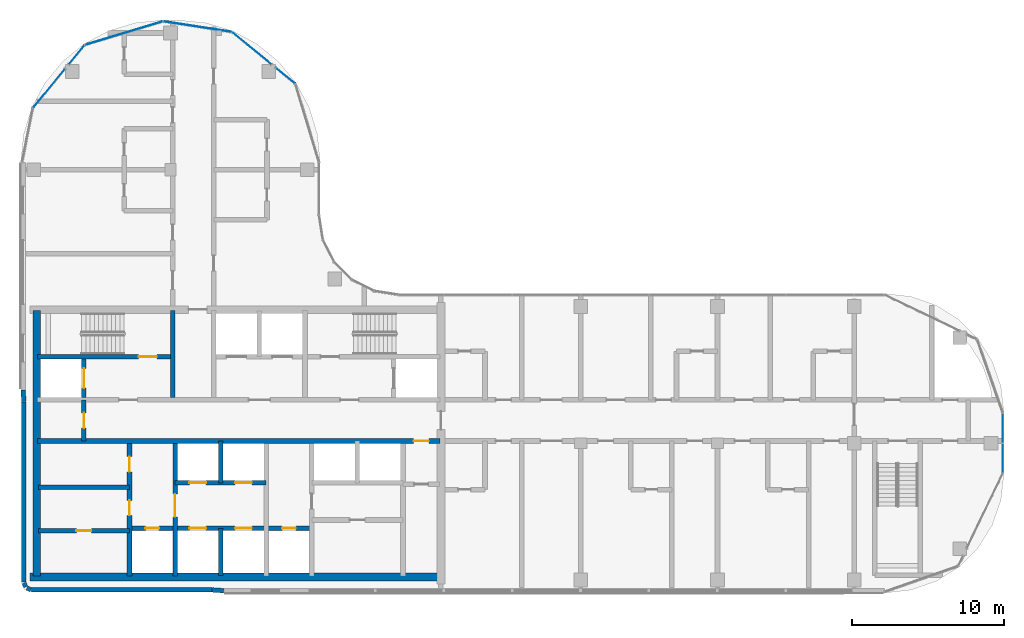
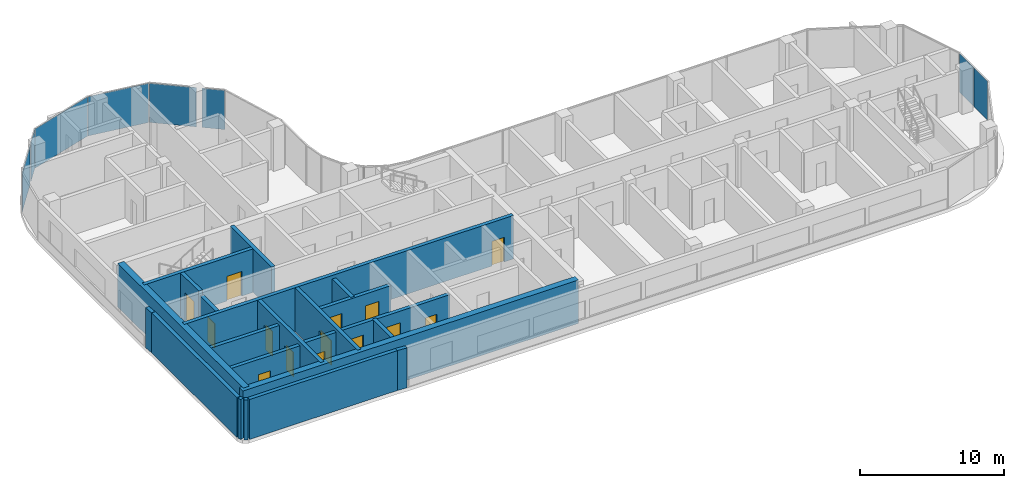
# One storey, part 12 of 20: 21 walls, 14 doors, 8 plates, 14 openings, 4 elements without a shape of their own.
"""IFC4 building model written with IfcOpenShell, lengths in metres."""

from ifc_helpers import new_model, si_unit, direction, frame, frame_2d, origin, origin_2d, place, context, subcontext, project, spatial, rectangle, extrude, material, layer, layer_set, type_object, element, fill, aggregate, save


model = new_model("IFC4")

# Units and contexts
model_context = context("Model", 3, precision=1e-05, world=origin(), true_north=direction((0.0, 1.0)))
body_context = subcontext(model_context, "Body", "Model", "MODEL_VIEW")
ifc_project = project(units=[si_unit("LENGTHUNIT", "METRE"), si_unit("AREAUNIT", "SQUARE_METRE"), si_unit("VOLUMEUNIT", "CUBIC_METRE"), si_unit("PLANEANGLEUNIT", "RADIAN"), si_unit("MASSUNIT", "GRAM", prefix="KILO")], contexts=[model_context])

# Site, building, storey
site_placement = place(None, origin())
site = spatial("IfcSite", under=ifc_project, at=site_placement, CompositionType="ELEMENT")
building_placement = place(site_placement, origin())
building = spatial("IfcBuilding", under=site, at=building_placement, Name="Ogive Portal Towers", CompositionType="ELEMENT")
storey_placement = place(building_placement, frame((0.0, 0.0, 210.60009765625)))
storey = spatial("IfcBuildingStorey", under=building, at=storey_placement, Name="L52", CompositionType="ELEMENT", Elevation=210.60009765625)

# Curtain wall, plates
ifc_material_1 = material(Name="Glass, clear low-iron insulated glazing", Category="glass")
curtain_wall_type = type_object("IfcCurtainWallType", Name="CW FRONT RIBBON 4500", PredefinedType="NOTDEFINED", material=ifc_material_1)
curtain_wall_1_placement = place(storey_placement, origin())
curtain_wall_1 = element("IfcCurtainWall", 1, at=curtain_wall_1_placement, inside=storey, type_object=curtain_wall_type, Name="A:L52:f08:cw0", PredefinedType="NOTDEFINED")
ifc_layer_1 = layer(ifc_material_1, 0.028076171875)
ifc_layer_set_1 = layer_set([ifc_layer_1], Name="CW PANEL IGU 28")
plate_type = type_object("IfcPlateType", Name="CW PANEL IGU 28", PredefinedType="CURTAIN_PANEL", material=ifc_layer_set_1)
plate_1_placement = place(storey_placement, frame((95.27490234375, 29.509033203125, 0.0), z_axis=(0.0, 0.0, 1.0), x_axis=(0.0, 1.0, 0.0)))
plate_1 = element("IfcPlate", 2, at=plate_1_placement, type_object=plate_type, Name="panel", PredefinedType="CURTAIN_PANEL", context=body_context, shape_type="SweptSolid", body=[
    extrude(rectangle(XDim=1.921630859375, YDim=0.028076171875, at=origin_2d()), origin(), (0.0, 0.0, 1.0), 3.340087890625),
])
plate_2_placement = place(storey_placement, frame((95.27490234375, 31.4931640625, 0.0), z_axis=(0.0, 0.0, 1.0), x_axis=(0.0, 1.0, 0.0)))
plate_2 = element("IfcPlate", 3, at=plate_2_placement, type_object=plate_type, Name="panel", PredefinedType="CURTAIN_PANEL", context=body_context, shape_type="SweptSolid", body=[
    extrude(rectangle(XDim=1.926513671875, YDim=0.028076171875, at=origin_2d()), origin(), (0.0, 0.0, 1.0), 3.340087890625),
])
aggregate(curtain_wall_1, [plate_1, plate_2])

# Curtain wall, plate
curtain_wall_2_placement = place(storey_placement, origin())
curtain_wall_2 = element("IfcCurtainWall", 4, at=curtain_wall_2_placement, inside=storey, type_object=curtain_wall_type, Name="A:L52:f18:cwa~0", PredefinedType="NOTDEFINED")
plate_3_placement = place(storey_placement, frame((48.06591796875, 54.678466796875, 0.0), z_axis=(0.0, 0.0, 1.0), x_axis=(-0.773010453363, 0.634393284164, 0.0)))
plate_3 = element("IfcPlate", 5, at=plate_3_placement, type_object=plate_type, Name="panel", PredefinedType="CURTAIN_PANEL", context=body_context, shape_type="SweptSolid", body=[
    extrude(rectangle(XDim=1.603515625, YDim=0.028076171875, at=origin_2d()), origin(), (0.0, 0.0, 1.0), 3.340087890625),
])
aggregate(curtain_wall_2, [plate_3])

# Curtain wall, plates
curtain_wall_3_placement = place(storey_placement, origin())
curtain_wall_3 = element("IfcCurtainWall", 6, at=curtain_wall_3_placement, inside=storey, type_object=curtain_wall_type, Name="A:L52:f18:cwa~1", PredefinedType="NOTDEFINED")
plate_4_placement = place(storey_placement, frame((45.8525390625, 56.4951171875, 0.0), z_axis=(0.0, 0.0, 1.0), x_axis=(-0.773010453363, 0.634393284164, 0.0)))
plate_4 = element("IfcPlate", 7, at=plate_4_placement, type_object=plate_type, Name="panel", PredefinedType="CURTAIN_PANEL", context=body_context, shape_type="SweptSolid", body=[
    extrude(rectangle(XDim=3.31982421875, YDim=0.028076171875, at=origin_2d()), origin(), (0.0, 0.0, 1.0), 3.340087890625),
])
plate_5_placement = place(storey_placement, frame((42.27587890625, 57.920166015625, 0.0), z_axis=(0.0, 0.0, 1.0), x_axis=(-0.988127542509, 0.153635802256, 0.0)))
plate_5 = element("IfcPlate", 8, at=plate_5_placement, type_object=plate_type, Name="panel", PredefinedType="CURTAIN_PANEL", context=body_context, shape_type="SweptSolid", body=[
    extrude(rectangle(XDim=4.534912109375, YDim=0.028076171875, at=origin_2d()), origin(), (0.0, 0.0, 1.0), 3.340087890625),
])
plate_6_placement = place(storey_placement, frame((37.427490234375, 57.490966796875, 0.0), z_axis=(0.0, 0.0, 1.0), x_axis=(-0.956940335732, -0.290284677254, 0.0)))
plate_6 = element("IfcPlate", 9, at=plate_6_placement, type_object=plate_type, Name="panel", PredefinedType="CURTAIN_PANEL", context=body_context, shape_type="SweptSolid", body=[
    extrude(rectangle(XDim=5.32861328125, YDim=0.028076171875, at=origin_2d()), origin(), (0.0, 0.0, 1.0), 3.340087890625),
])
plate_7_placement = place(storey_placement, frame((34.321533203125, 56.06591796875, 0.0), z_axis=(0.0, 0.0, 1.0), x_axis=(-0.634393284164, -0.773010453363, 0.0)))
plate_7 = element("IfcPlate", 10, at=plate_7_placement, type_object=plate_type, Name="panel", PredefinedType="CURTAIN_PANEL", context=body_context, shape_type="SweptSolid", body=[
    extrude(rectangle(XDim=1.603515625, YDim=0.028076171875, at=origin_2d()), origin(), (0.0, 0.0, 1.0), 3.340087890625),
])
aggregate(curtain_wall_3, [plate_4, plate_5, plate_6, plate_7])

# Curtain wall, plate
curtain_wall_4_placement = place(storey_placement, origin())
curtain_wall_4 = element("IfcCurtainWall", 11, at=curtain_wall_4_placement, inside=storey, type_object=curtain_wall_type, Name="A:L52:f18:cwa~2", PredefinedType="NOTDEFINED")
plate_8_placement = place(storey_placement, frame((32.50439453125, 53.851806640625, 0.0), z_axis=(0.0, 0.0, 1.0), x_axis=(-0.634393284164, -0.773010453363, 0.0)))
plate_8 = element("IfcPlate", 12, at=plate_8_placement, type_object=plate_type, Name="panel", PredefinedType="CURTAIN_PANEL", context=body_context, shape_type="SweptSolid", body=[
    extrude(rectangle(XDim=3.32177734375, YDim=0.028076171875, at=origin_2d()), origin(), (0.0, 0.0, 1.0), 3.340087890625),
])
aggregate(curtain_wall_4, [plate_8])

# Wall, openings, doors
ifc_material_2 = material(Name="Concrete C60/75", Category="concrete")
ifc_layer_2 = layer(ifc_material_2, 0.300048828125)
ifc_layer_set_2 = layer_set([ifc_layer_2], Name="CORE WALL 300 C60")
wall_type_1 = type_object("IfcWallType", Name="CORE WALL 300 C60", PredefinedType="SHEAR", material=ifc_layer_set_2)
wall_1_placement = place(storey_placement, frame((37.800048828125, 21.75, 0.0), z_axis=(0.0, 0.0, 1.0), x_axis=(0.0, 1.0, 0.0)))
wall_1 = element("IfcWall", 13, at=wall_1_placement, inside=storey, type_object=wall_type_1, Name="Core wall X1 L52", PredefinedType="SHEAR", context=body_context, shape_type="SweptSolid", body=[
    extrude(rectangle(XDim=8.75, YDim=0.300048828125, at=frame_2d((4.375, 0.0))), origin(), (0.0, 0.0, 1.0), 3.699951171875),
])
opening_1_placement = place(wall_1_placement, frame((6.875, 0.0, 0.0)))
opening_1 = element("IfcOpeningElement", 14, at=opening_1_placement, cuts=wall_1, Name="Opening D23-021", PredefinedType="OPENING", context=body_context, shape_type="SweptSolid", body=[
    extrude(rectangle(XDim=1.0, YDim=2.10009765625, at=frame_2d((0.5, 1.050048828125))), frame((0.0, 0.16015625, 0.0), z_axis=(0.0, -1.0, 0.0), x_axis=(1.0, 0.0, 0.0)), (0.0, 0.0, 1.0), 0.320068359375),
])
opening_2_placement = place(wall_1_placement, frame((4.0, 0.0, 0.0)))
opening_2 = element("IfcOpeningElement", 15, at=opening_2_placement, cuts=wall_1, Name="Opening D23-022", PredefinedType="OPENING", context=body_context, shape_type="SweptSolid", body=[
    extrude(rectangle(XDim=1.0, YDim=2.10009765625, at=frame_2d((0.5, 1.050048828125))), frame((0.0, 0.16015625, 0.0), z_axis=(0.0, -1.0, 0.0), x_axis=(1.0, 0.0, 0.0)), (0.0, 0.0, 1.0), 0.320068359375),
])
ifc_material_3 = material(Name="Steel fire door", Category="steel")
door_type_1 = type_object("IfcDoorType", Name="DT-SWING-1000x2100-FD90S", OperationType="SINGLE_SWING_LEFT", PredefinedType="DOOR", material=ifc_material_3)
door_1_placement = place(opening_1_placement, origin())
door_1 = element("IfcDoor", 16, at=door_1_placement, inside=storey, type_object=door_type_1, Name="Door D23-021", OperationType="SINGLE_SWING_LEFT", OverallHeight=2.10009765625, OverallWidth=1.0, PredefinedType="DOOR", context=body_context, shape_type="SweptSolid", body=[
    extrude(rectangle(XDim=1.0, YDim=2.10009765625, at=frame_2d((0.5, 1.050048828125))), frame((0.0, 0.02490234375, 0.0), z_axis=(0.0, -1.0, 0.0), x_axis=(1.0, 0.0, 0.0)), (0.0, 0.0, 1.0), 0.050048828125),
])
fill(opening_1, door_1)
door_2_placement = place(opening_2_placement, origin())
door_2 = element("IfcDoor", 17, at=door_2_placement, inside=storey, type_object=door_type_1, Name="Door D23-022", OperationType="SINGLE_SWING_RIGHT", OverallHeight=2.10009765625, OverallWidth=1.0, PredefinedType="DOOR", context=body_context, shape_type="SweptSolid", body=[
    extrude(rectangle(XDim=1.0, YDim=2.10009765625, at=frame_2d((0.5, 1.050048828125))), frame((0.0, 0.02490234375, 0.0), z_axis=(0.0, -1.0, 0.0), x_axis=(1.0, 0.0, 0.0)), (0.0, 0.0, 1.0), 0.050048828125),
])
fill(opening_2, door_2)

# Wall, opening, door
wall_2_placement = place(storey_placement, frame((40.800048828125, 21.75, 0.0), z_axis=(0.0, 0.0, 1.0), x_axis=(0.0, 1.0, 0.0)))
wall_2 = element("IfcWall", 18, at=wall_2_placement, inside=storey, type_object=wall_type_1, Name="Core wall X2 L52", PredefinedType="SHEAR", context=body_context, shape_type="SweptSolid", body=[
    extrude(rectangle(XDim=8.75, YDim=0.300048828125, at=frame_2d((4.375, 0.0))), origin(), (0.0, 0.0, 1.0), 3.699951171875),
])
opening_3_placement = place(wall_2_placement, frame((3.89990234375, 0.0, 0.0)))
opening_3 = element("IfcOpeningElement", 19, at=opening_3_placement, cuts=wall_2, Name="Opening D23-001", PredefinedType="OPENING", context=body_context, shape_type="SweptSolid", body=[
    extrude(rectangle(XDim=1.5, YDim=2.10009765625, at=frame_2d((0.75, 1.050048828125))), frame((0.0, 0.16015625, 0.0), z_axis=(0.0, -1.0, 0.0), x_axis=(1.0, 0.0, 0.0)), (0.0, 0.0, 1.0), 0.320068359375),
])
door_type_2 = type_object("IfcDoorType", Name="DT-SWING-1500x2100-FD90S", OperationType="SINGLE_SWING_LEFT", PredefinedType="DOOR", material=ifc_material_3)
door_3_placement = place(opening_3_placement, origin())
door_3 = element("IfcDoor", 20, at=door_3_placement, inside=storey, type_object=door_type_2, Name="Door D23-001", OperationType="SINGLE_SWING_RIGHT", OverallHeight=2.10009765625, OverallWidth=1.5, PredefinedType="DOOR", context=body_context, shape_type="SweptSolid", body=[
    extrude(rectangle(XDim=1.5, YDim=2.10009765625, at=frame_2d((0.75, 1.050048828125))), frame((0.0, 0.02490234375, 0.0), z_axis=(0.0, -1.0, 0.0), x_axis=(1.0, 0.0, 0.0)), (0.0, 0.0, 1.0), 0.050048828125),
])
fill(opening_3, door_3)

wall_3_placement = place(storey_placement, frame((31.75, 30.64990234375, 0.0), z_axis=(0.0, 0.0, 1.0), x_axis=(1.0, 0.0, 0.0)))
wall_3 = element("IfcWall", 21, at=wall_3_placement, inside=storey, type_object=wall_type_1, Name="Core wall Y1 L52", PredefinedType="SHEAR", context=body_context, shape_type="SweptSolid", body=[
    extrude(rectangle(XDim=26.5, YDim=0.300048828125, at=frame_2d((13.25, 0.0))), origin(), (0.0, 0.0, 1.0), 3.699951171875),
])
opening_4_placement = place(wall_3_placement, frame((24.75, 0.0, 0.0)))
opening_4 = element("IfcOpeningElement", 22, at=opening_4_placement, cuts=wall_3, Name="Opening D23-009", PredefinedType="OPENING", context=body_context, shape_type="SweptSolid", body=[
    extrude(rectangle(XDim=1.0, YDim=2.10009765625, at=frame_2d((0.5, 1.050048828125))), frame((0.0, 0.16015625, 0.0), z_axis=(0.0, -1.0, 0.0), x_axis=(1.0, 0.0, 0.0)), (0.0, 0.0, 1.0), 0.320068359375),
])
door_4_placement = place(opening_4_placement, origin())
door_4 = element("IfcDoor", 23, at=door_4_placement, inside=storey, type_object=door_type_1, Name="Door D23-009", OperationType="SINGLE_SWING_LEFT", OverallHeight=2.10009765625, OverallWidth=1.0, PredefinedType="DOOR", context=body_context, shape_type="SweptSolid", body=[
    extrude(rectangle(XDim=1.0, YDim=2.10009765625, at=frame_2d((0.5, 1.050048828125))), frame((0.0, 0.02490234375, 0.0), z_axis=(0.0, -1.0, 0.0), x_axis=(1.0, 0.0, 0.0)), (0.0, 0.0, 1.0), 0.050048828125),
])
fill(opening_4, door_4)

wall_4_placement = place(storey_placement, frame((31.75, 36.199951171875, 0.0), z_axis=(0.0, 0.0, 1.0), x_axis=(1.0, 0.0, 0.0)))
wall_4 = element("IfcWall", 24, at=wall_4_placement, inside=storey, type_object=wall_type_1, Name="Core wall Y3a L52", PredefinedType="SHEAR", context=body_context, shape_type="SweptSolid", body=[
    extrude(rectangle(XDim=8.75, YDim=0.300048828125, at=frame_2d((4.375, 0.0))), origin(), (0.0, 0.0, 1.0), 3.699951171875),
])
opening_5_placement = place(wall_4_placement, frame((6.64990234375, 0.0, 0.0)))
opening_5 = element("IfcOpeningElement", 25, at=opening_5_placement, cuts=wall_4, Name="Opening D23-005", PredefinedType="OPENING", context=body_context, shape_type="SweptSolid", body=[
    extrude(rectangle(XDim=1.199951171875, YDim=2.10009765625, at=frame_2d((0.60009765625, 1.050048828125))), frame((0.0, 0.16015625, 0.0), z_axis=(0.0, -1.0, 0.0), x_axis=(1.0, 0.0, 0.0)), (0.0, 0.0, 1.0), 0.320068359375),
])
door_type_3 = type_object("IfcDoorType", Name="DT-SWING-1200x2100-FD90S", OperationType="SINGLE_SWING_LEFT", PredefinedType="DOOR", material=ifc_material_3)
door_5_placement = place(opening_5_placement, origin())
door_5 = element("IfcDoor", 26, at=door_5_placement, inside=storey, type_object=door_type_3, Name="Door D23-005", OperationType="SINGLE_SWING_RIGHT", OverallHeight=2.10009765625, OverallWidth=1.199951171875, PredefinedType="DOOR", context=body_context, shape_type="SweptSolid", body=[
    extrude(rectangle(XDim=1.199951171875, YDim=2.10009765625, at=frame_2d((0.60009765625, 1.050048828125))), frame((0.0, 0.02490234375, 0.0), z_axis=(0.0, -1.0, 0.0), x_axis=(1.0, 0.0, 0.0)), (0.0, 0.0, 1.0), 0.050048828125),
])
fill(opening_5, door_5)

# Wall
wall_5_placement = place(storey_placement, frame((40.64990234375, 33.5, 0.0), z_axis=(0.0, 0.0, 1.0), x_axis=(0.0, 1.0, 0.0)))
element("IfcWall", 27, at=wall_5_placement, inside=storey, type_object=wall_type_1, Name="Core wall X6 L52", PredefinedType="SHEAR", context=body_context, shape_type="SweptSolid", body=[
    extrude(rectangle(XDim=5.75, YDim=0.300048828125, at=frame_2d((2.875, 0.0))), origin(), (0.0, 0.0, 1.0), 3.699951171875),
])

# Wall, opening, door
wall_6_placement = place(storey_placement, frame((34.800048828125, 33.5, 0.0), z_axis=(0.0, 0.0, 1.0), x_axis=(0.0, 1.0, 0.0)))
wall_6 = element("IfcWall", 28, at=wall_6_placement, inside=storey, type_object=wall_type_1, Name="Core wall X8 L52", PredefinedType="SHEAR", context=body_context, shape_type="SweptSolid", body=[
    extrude(rectangle(XDim=2.550048828125, YDim=0.300048828125, at=frame_2d((1.27490234375, 0.0))), origin(), (0.0, 0.0, 1.0), 3.699951171875),
])
opening_6_placement = place(wall_6_placement, frame((0.625, 0.0, 0.0)))
opening_6 = element("IfcOpeningElement", 29, at=opening_6_placement, cuts=wall_6, Name="Opening D23-019", PredefinedType="OPENING", context=body_context, shape_type="SweptSolid", body=[
    extrude(rectangle(XDim=1.300048828125, YDim=2.39990234375, at=frame_2d((0.64990234375, 1.199951171875))), frame((0.0, 0.16015625, 0.0), z_axis=(0.0, -1.0, 0.0), x_axis=(1.0, 0.0, 0.0)), (0.0, 0.0, 1.0), 0.320068359375),
])
ifc_material_4 = material(Name="Stainless steel", Category="steel")
door_type_4 = type_object("IfcDoorType", Name="DT-LD-1300x2400", OperationType="SLIDING_TO_LEFT", PredefinedType="DOOR", material=ifc_material_4)
door_6_placement = place(opening_6_placement, origin())
door_6 = element("IfcDoor", 30, at=door_6_placement, inside=storey, type_object=door_type_4, Name="Door D23-019", OperationType="SLIDING_TO_LEFT", OverallHeight=2.39990234375, OverallWidth=1.300048828125, PredefinedType="DOOR", context=body_context, shape_type="SweptSolid", body=[
    extrude(rectangle(XDim=1.300048828125, YDim=2.39990234375, at=frame_2d((0.64990234375, 1.199951171875))), frame((0.0, 0.02490234375, 0.0), z_axis=(0.0, -1.0, 0.0), x_axis=(1.0, 0.0, 0.0)), (0.0, 0.0, 1.0), 0.050048828125),
])
fill(opening_6, door_6)

# Walls
ifc_layer_3 = layer(ifc_material_2, 0.5)
ifc_layer_set_3 = layer_set([ifc_layer_3], Name="CORE WALL 500 C60")
wall_type_2 = type_object("IfcWallType", Name="CORE WALL 500 C60", PredefinedType="SHEAR", material=ifc_layer_set_3)
wall_7_placement = place(storey_placement, frame((31.699951171875, 21.75, 0.0), z_axis=(0.0, 0.0, 1.0), x_axis=(0.0, 1.0, 0.0)))
element("IfcWall", 31, at=wall_7_placement, inside=storey, type_object=wall_type_2, Name="Core wall W L52", PredefinedType="SHEAR", context=body_context, shape_type="SweptSolid", body=[
    extrude(rectangle(XDim=17.5, YDim=0.5, at=frame_2d((8.75, 0.0))), origin(), (0.0, 0.0, 1.0), 3.699951171875),
])
wall_8_placement = place(storey_placement, frame((31.25, 21.699951171875, 0.0), z_axis=(0.0, 0.0, 1.0), x_axis=(1.0, 0.0, 0.0)))
element("IfcWall", 32, at=wall_8_placement, inside=storey, type_object=wall_type_2, Name="Core wall S L52", PredefinedType="SHEAR", context=body_context, shape_type="SweptSolid", body=[
    extrude(rectangle(XDim=27.0, YDim=0.5, at=frame_2d((13.5, 0.0))), origin(), (0.0, 0.0, 1.0), 3.699951171875),
])
ifc_material_5 = material(Name="Limestone cladding on lightweight block wall", Category="masonry")
ifc_layer_4 = layer(ifc_material_5, 0.300048828125)
ifc_layer_set_4 = layer_set([ifc_layer_4], Name="EXTERNAL WALL 300 STONE")
wall_type_3 = type_object("IfcWallType", Name="EXTERNAL WALL 300 STONE", PredefinedType="SOLIDWALL", material=ifc_layer_set_4)
wall_9_placement = place(storey_placement, frame((30.85009765625, 33.23095703125, 0.0), z_axis=(0.0, 0.0, 1.0), x_axis=(0.0, -1.0, 0.0)))
element("IfcWall", 33, at=wall_9_placement, inside=storey, type_object=wall_type_3, Name="A:L52:f00:r0:wall", PredefinedType="SOLIDWALL", context=body_context, shape_type="SweptSolid", body=[
    extrude(rectangle(XDim=11.871337890625, YDim=0.300048828125, at=frame_2d((5.935546875, 0.0))), origin(), (0.0, 0.0, 1.0), 3.39990234375),
])
for number, where, z_axis, x_axis, name in (
    (34, (30.861328125, 21.30224609375, 0.0), (0.0, 0.0, 1.0), (0.38297812142, -0.923757413239, 0.0), "A:L52:f01:r0:wall"),
    (35, (31.0478515625, 20.966796875, 0.0), (0.0, 0.0, 1.0), (0.923757413239, -0.38297812142, 0.0), "A:L52:f02:r0:wall"),
):
    element("IfcWall", number, at=place(storey_placement, frame(where, z_axis=z_axis, x_axis=x_axis)), inside=storey, type_object=wall_type_3, Name=name, PredefinedType="SOLIDWALL", context=body_context, shape_type="SweptSolid", body=[
        extrude(rectangle(XDim=0.275390625, YDim=0.300048828125, at=frame_2d((0.1376953125, 0.0))), origin(), (0.0, 0.0, 1.0), 3.39990234375),
    ])
wall_10_placement = place(storey_placement, frame((31.359619140625, 20.85009765625, 0.0), z_axis=(0.0, 0.0, 1.0), x_axis=(1.0, 0.0, 0.0)))
element("IfcWall", 36, at=wall_10_placement, inside=storey, type_object=wall_type_3, Name="A:L52:f03:r0:wall", PredefinedType="SOLIDWALL", context=body_context, shape_type="SweptSolid", body=[
    extrude(rectangle(XDim=11.871337890625, YDim=0.300048828125, at=frame_2d((5.935546875, 0.0))), origin(), (0.0, 0.0, 1.0), 3.39990234375),
])
for number, where, z_axis, x_axis, name in (
    (37, (43.24169921875, 20.849609375, 0.0), (0.0, 0.0, 1.0), (0.997455438499, -0.07129269393, 0.0), "A:L52:f04:r0:wall"),
    (38, (30.79541015625, 34.0, 0.0), (0.0, 0.0, 1.0), (0.07129269393, -0.997455438499, 0.0), "A:L52:f25:r0:wall"),
):
    element("IfcWall", number, at=place(storey_placement, frame(where, z_axis=z_axis, x_axis=x_axis)), inside=storey, type_object=wall_type_3, Name=name, PredefinedType="SOLIDWALL", context=body_context, shape_type="SweptSolid", body=[
        extrude(rectangle(XDim=0.76025390625, YDim=0.300048828125, at=frame_2d((0.380126953125, 0.0))), origin(), (0.0, 0.0, 1.0), 3.39990234375),
    ])

# Wall, opening, door
ifc_material_6 = material(Name="Gypsum board partition on steel studs", Category="steel")
ifc_layer_5 = layer(ifc_material_6, 0.300048828125)
ifc_layer_set_5 = layer_set([ifc_layer_5], Name="WT-PART-300")
wall_type_4 = type_object("IfcWallType", Name="WT-PART-300", PredefinedType="PARTITIONING", material=ifc_layer_set_5)
wall_11_placement = place(storey_placement, frame((31.800048828125, 24.75, 0.0), z_axis=(0.0, 0.0, 1.0), x_axis=(1.0, 0.0, 0.0)))
wall_11 = element("IfcWall", 39, at=wall_11_placement, inside=storey, type_object=wall_type_4, Name="Wall pw:001:L52", PredefinedType="PARTITIONING", context=body_context, shape_type="SweptSolid", body=[
    extrude(rectangle(XDim=6.0, YDim=0.300048828125, at=frame_2d((3.0, 0.0))), origin(), (0.0, 0.0, 1.0), 3.39990234375),
])
opening_7_placement = place(wall_11_placement, frame((2.5, 0.0, 0.0)))
opening_7 = element("IfcOpeningElement", 40, at=opening_7_placement, cuts=wall_11, Name="Opening D23-023", PredefinedType="OPENING", context=body_context, shape_type="SweptSolid", body=[
    extrude(rectangle(XDim=1.0, YDim=2.10009765625, at=frame_2d((0.5, 1.050048828125))), frame((0.0, 0.16015625, 0.0), z_axis=(0.0, -1.0, 0.0), x_axis=(1.0, 0.0, 0.0)), (0.0, 0.0, 1.0), 0.320068359375),
])
door_type_5 = type_object("IfcDoorType", Name="DT-SWING-1000x2100-FD60S", OperationType="SINGLE_SWING_LEFT", PredefinedType="DOOR", material=ifc_material_3)
door_7_placement = place(opening_7_placement, origin())
door_7 = element("IfcDoor", 41, at=door_7_placement, inside=storey, type_object=door_type_5, Name="Door D23-023", OperationType="SINGLE_SWING_RIGHT", OverallHeight=2.10009765625, OverallWidth=1.0, PredefinedType="DOOR", context=body_context, shape_type="SweptSolid", body=[
    extrude(rectangle(XDim=1.0, YDim=2.10009765625, at=frame_2d((0.5, 1.050048828125))), frame((0.0, 0.02490234375, 0.0), z_axis=(0.0, -1.0, 0.0), x_axis=(1.0, 0.0, 0.0)), (0.0, 0.0, 1.0), 0.050048828125),
])
fill(opening_7, door_7)

# Wall
wall_12_placement = place(storey_placement, frame((31.800048828125, 27.60009765625, 0.0), z_axis=(0.0, 0.0, 1.0), x_axis=(1.0, 0.0, 0.0)))
element("IfcWall", 42, at=wall_12_placement, inside=storey, type_object=wall_type_4, Name="Wall pw:004:L52", PredefinedType="PARTITIONING", context=body_context, shape_type="SweptSolid", body=[
    extrude(rectangle(XDim=6.0, YDim=0.300048828125, at=frame_2d((3.0, 0.0))), origin(), (0.0, 0.0, 1.0), 3.39990234375),
])

# Wall, openings, doors
ifc_material_7 = material(Name="Concrete C40/50", Category="concrete")
ifc_layer_6 = layer(ifc_material_7, 0.300048828125)
ifc_layer_set_6 = layer_set([ifc_layer_6], Name="WT-SHAFT-300")
wall_type_5 = type_object("IfcWallType", Name="WT-SHAFT-300", PredefinedType="SOLIDWALL", material=ifc_layer_set_6)
wall_13_placement = place(storey_placement, frame((37.800048828125, 24.89990234375, 0.0), z_axis=(0.0, 0.0, 1.0), x_axis=(1.0, 0.0, 0.0)))
wall_13 = element("IfcWall", 43, at=wall_13_placement, inside=storey, type_object=wall_type_5, Name="Wall pw:002:L52", PredefinedType="SOLIDWALL", context=body_context, shape_type="SweptSolid", body=[
    extrude(rectangle(XDim=12.0, YDim=0.300048828125, at=frame_2d((6.0, 0.0))), origin(), (0.0, 0.0, 1.0), 3.39990234375),
])
opening_8_placement = place(wall_13_placement, frame((1.050048828125, 0.0, 0.0)))
opening_8 = element("IfcOpeningElement", 44, at=opening_8_placement, cuts=wall_13, Name="Opening D23-007", PredefinedType="OPENING", context=body_context, shape_type="SweptSolid", body=[
    extrude(rectangle(XDim=0.89990234375, YDim=2.10009765625, at=frame_2d((0.449951171875, 1.050048828125))), frame((0.0, 0.16015625, 0.0), z_axis=(0.0, -1.0, 0.0), x_axis=(1.0, 0.0, 0.0)), (0.0, 0.0, 1.0), 0.320068359375),
])
opening_9_placement = place(wall_13_placement, frame((10.050048828125, 0.0, 0.0)))
opening_9 = element("IfcOpeningElement", 45, at=opening_9_placement, cuts=wall_13, Name="Opening D23-008", PredefinedType="OPENING", context=body_context, shape_type="SweptSolid", body=[
    extrude(rectangle(XDim=0.89990234375, YDim=2.10009765625, at=frame_2d((0.449951171875, 1.050048828125))), frame((0.0, 0.16015625, 0.0), z_axis=(0.0, -1.0, 0.0), x_axis=(1.0, 0.0, 0.0)), (0.0, 0.0, 1.0), 0.320068359375),
])
opening_10_placement = place(wall_13_placement, frame((3.949951171875, 0.0, 0.0)))
opening_10 = element("IfcOpeningElement", 46, at=opening_10_placement, cuts=wall_13, Name="Opening D23-013", PredefinedType="OPENING", context=body_context, shape_type="SweptSolid", body=[
    extrude(rectangle(XDim=1.10009765625, YDim=2.39990234375, at=frame_2d((0.550048828125, 1.199951171875))), frame((0.0, 0.16015625, 0.0), z_axis=(0.0, -1.0, 0.0), x_axis=(1.0, 0.0, 0.0)), (0.0, 0.0, 1.0), 0.320068359375),
])
opening_11_placement = place(wall_13_placement, frame((6.949951171875, 0.0, 0.0)))
opening_11 = element("IfcOpeningElement", 47, at=opening_11_placement, cuts=wall_13, Name="Opening D23-014", PredefinedType="OPENING", context=body_context, shape_type="SweptSolid", body=[
    extrude(rectangle(XDim=1.10009765625, YDim=2.39990234375, at=frame_2d((0.550048828125, 1.199951171875))), frame((0.0, 0.16015625, 0.0), z_axis=(0.0, -1.0, 0.0), x_axis=(1.0, 0.0, 0.0)), (0.0, 0.0, 1.0), 0.320068359375),
])
door_type_6 = type_object("IfcDoorType", Name="DT-LD-1100x2400", OperationType="SLIDING_TO_LEFT", PredefinedType="DOOR", material=ifc_material_4)
door_8_placement = place(opening_10_placement, origin())
door_8 = element("IfcDoor", 48, at=door_8_placement, inside=storey, type_object=door_type_6, Name="Door D23-013", OperationType="SLIDING_TO_LEFT", OverallHeight=2.39990234375, OverallWidth=1.10009765625, PredefinedType="DOOR", context=body_context, shape_type="SweptSolid", body=[
    extrude(rectangle(XDim=1.10009765625, YDim=2.39990234375, at=frame_2d((0.550048828125, 1.199951171875))), frame((0.0, 0.02490234375, 0.0), z_axis=(0.0, -1.0, 0.0), x_axis=(1.0, 0.0, 0.0)), (0.0, 0.0, 1.0), 0.050048828125),
])
fill(opening_10, door_8)
door_9_placement = place(opening_11_placement, origin())
door_9 = element("IfcDoor", 49, at=door_9_placement, inside=storey, type_object=door_type_6, Name="Door D23-014", OperationType="SLIDING_TO_LEFT", OverallHeight=2.39990234375, OverallWidth=1.10009765625, PredefinedType="DOOR", context=body_context, shape_type="SweptSolid", body=[
    extrude(rectangle(XDim=1.10009765625, YDim=2.39990234375, at=frame_2d((0.550048828125, 1.199951171875))), frame((0.0, 0.02490234375, 0.0), z_axis=(0.0, -1.0, 0.0), x_axis=(1.0, 0.0, 0.0)), (0.0, 0.0, 1.0), 0.050048828125),
])
fill(opening_11, door_9)
door_type_7 = type_object("IfcDoorType", Name="DT-SWING-900x2100-FD90S", OperationType="SINGLE_SWING_LEFT", PredefinedType="DOOR", material=ifc_material_3)
door_10_placement = place(opening_8_placement, origin())
door_10 = element("IfcDoor", 50, at=door_10_placement, inside=storey, type_object=door_type_7, Name="Riser access door D23-007", OperationType="SINGLE_SWING_LEFT", OverallHeight=2.10009765625, OverallWidth=0.89990234375, PredefinedType="DOOR", context=body_context, shape_type="SweptSolid", body=[
    extrude(rectangle(XDim=0.89990234375, YDim=2.10009765625, at=frame_2d((0.449951171875, 1.050048828125))), frame((0.0, 0.02490234375, 0.0), z_axis=(0.0, -1.0, 0.0), x_axis=(1.0, 0.0, 0.0)), (0.0, 0.0, 1.0), 0.050048828125),
])
fill(opening_8, door_10)
door_11_placement = place(opening_9_placement, origin())
door_11 = element("IfcDoor", 51, at=door_11_placement, inside=storey, type_object=door_type_7, Name="Riser access door D23-008", OperationType="SINGLE_SWING_RIGHT", OverallHeight=2.10009765625, OverallWidth=0.89990234375, PredefinedType="DOOR", context=body_context, shape_type="SweptSolid", body=[
    extrude(rectangle(XDim=0.89990234375, YDim=2.10009765625, at=frame_2d((0.449951171875, 1.050048828125))), frame((0.0, 0.02490234375, 0.0), z_axis=(0.0, -1.0, 0.0), x_axis=(1.0, 0.0, 0.0)), (0.0, 0.0, 1.0), 0.050048828125),
])
fill(opening_9, door_11)

wall_14_placement = place(storey_placement, frame((40.800048828125, 27.89990234375, 0.0), z_axis=(0.0, 0.0, 1.0), x_axis=(1.0, 0.0, 0.0)))
wall_14 = element("IfcWall", 52, at=wall_14_placement, inside=storey, type_object=wall_type_5, Name="Wall pw:006:L52", PredefinedType="SOLIDWALL", context=body_context, shape_type="SweptSolid", body=[
    extrude(rectangle(XDim=6.0, YDim=0.300048828125, at=frame_2d((3.0, 0.0))), origin(), (0.0, 0.0, 1.0), 3.39990234375),
])
opening_12_placement = place(wall_14_placement, frame((0.949951171875, 0.0, 0.0)))
opening_12 = element("IfcOpeningElement", 53, at=opening_12_placement, cuts=wall_14, Name="Opening D23-015", PredefinedType="OPENING", context=body_context, shape_type="SweptSolid", body=[
    extrude(rectangle(XDim=1.10009765625, YDim=2.39990234375, at=frame_2d((0.550048828125, 1.199951171875))), frame((0.0, 0.16015625, 0.0), z_axis=(0.0, -1.0, 0.0), x_axis=(1.0, 0.0, 0.0)), (0.0, 0.0, 1.0), 0.320068359375),
])
opening_13_placement = place(wall_14_placement, frame((3.949951171875, 0.0, 0.0)))
opening_13 = element("IfcOpeningElement", 54, at=opening_13_placement, cuts=wall_14, Name="Opening D23-016", PredefinedType="OPENING", context=body_context, shape_type="SweptSolid", body=[
    extrude(rectangle(XDim=1.10009765625, YDim=2.39990234375, at=frame_2d((0.550048828125, 1.199951171875))), frame((0.0, 0.16015625, 0.0), z_axis=(0.0, -1.0, 0.0), x_axis=(1.0, 0.0, 0.0)), (0.0, 0.0, 1.0), 0.320068359375),
])
door_12_placement = place(opening_12_placement, origin())
door_12 = element("IfcDoor", 55, at=door_12_placement, inside=storey, type_object=door_type_6, Name="Door D23-015", OperationType="SLIDING_TO_LEFT", OverallHeight=2.39990234375, OverallWidth=1.10009765625, PredefinedType="DOOR", context=body_context, shape_type="SweptSolid", body=[
    extrude(rectangle(XDim=1.10009765625, YDim=2.39990234375, at=frame_2d((0.550048828125, 1.199951171875))), frame((0.0, 0.02490234375, 0.0), z_axis=(0.0, -1.0, 0.0), x_axis=(1.0, 0.0, 0.0)), (0.0, 0.0, 1.0), 0.050048828125),
])
fill(opening_12, door_12)
door_13_placement = place(opening_13_placement, origin())
door_13 = element("IfcDoor", 56, at=door_13_placement, inside=storey, type_object=door_type_6, Name="Door D23-016", OperationType="SLIDING_TO_LEFT", OverallHeight=2.39990234375, OverallWidth=1.10009765625, PredefinedType="DOOR", context=body_context, shape_type="SweptSolid", body=[
    extrude(rectangle(XDim=1.10009765625, YDim=2.39990234375, at=frame_2d((0.550048828125, 1.199951171875))), frame((0.0, 0.02490234375, 0.0), z_axis=(0.0, -1.0, 0.0), x_axis=(1.0, 0.0, 0.0)), (0.0, 0.0, 1.0), 0.050048828125),
])
fill(opening_13, door_13)

# Wall, opening, door
wall_15_placement = place(storey_placement, frame((34.800048828125, 30.64990234375, 0.0), z_axis=(0.0, 0.0, 1.0), x_axis=(0.0, 1.0, 0.0)))
wall_15 = element("IfcWall", 57, at=wall_15_placement, inside=storey, type_object=wall_type_5, Name="Wall pw:008:L52", PredefinedType="SOLIDWALL", context=body_context, shape_type="SweptSolid", body=[
    extrude(rectangle(XDim=2.7001953125, YDim=0.300048828125, at=frame_2d((1.35009765625, 0.0))), origin(), (0.0, 0.0, 1.0), 3.39990234375),
])
opening_14_placement = place(wall_15_placement, frame((0.85009765625, 0.0, 0.0)))
opening_14 = element("IfcOpeningElement", 58, at=opening_14_placement, cuts=wall_15, Name="Opening D23-026", PredefinedType="OPENING", context=body_context, shape_type="SweptSolid", body=[
    extrude(rectangle(XDim=1.0, YDim=2.10009765625, at=frame_2d((0.5, 1.050048828125))), frame((0.0, 0.16015625, 0.0), z_axis=(0.0, -1.0, 0.0), x_axis=(1.0, 0.0, 0.0)), (0.0, 0.0, 1.0), 0.320068359375),
])
door_14_placement = place(opening_14_placement, origin())
door_14 = element("IfcDoor", 59, at=door_14_placement, inside=storey, type_object=door_type_1, Name="Door D23-026", OperationType="SINGLE_SWING_RIGHT", OverallHeight=2.10009765625, OverallWidth=1.0, PredefinedType="DOOR", context=body_context, shape_type="SweptSolid", body=[
    extrude(rectangle(XDim=1.0, YDim=2.10009765625, at=frame_2d((0.5, 1.050048828125))), frame((0.0, 0.02490234375, 0.0), z_axis=(0.0, -1.0, 0.0), x_axis=(1.0, 0.0, 0.0)), (0.0, 0.0, 1.0), 0.050048828125),
])
fill(opening_14, door_14)

# Walls
wall_16_placement = place(storey_placement, frame((43.800048828125, 21.800048828125, 0.0), z_axis=(0.0, 0.0, 1.0), x_axis=(0.0, 1.0, 0.0)))
element("IfcWall", 60, at=wall_16_placement, inside=storey, type_object=wall_type_5, Name="Wall pw:009:L52", PredefinedType="SOLIDWALL", context=body_context, shape_type="SweptSolid", body=[
    extrude(rectangle(XDim=3.099853515625, YDim=0.300048828125, at=frame_2d((1.5498046875, 0.0))), origin(), (0.0, 0.0, 1.0), 3.39990234375),
])
wall_17_placement = place(storey_placement, frame((43.800048828125, 27.89990234375, 0.0), z_axis=(0.0, 0.0, 1.0), x_axis=(0.0, 1.0, 0.0)))
element("IfcWall", 61, at=wall_17_placement, inside=storey, type_object=wall_type_5, Name="Wall pw:010:L52", PredefinedType="SOLIDWALL", context=body_context, shape_type="SweptSolid", body=[
    extrude(rectangle(XDim=2.75, YDim=0.300048828125, at=frame_2d((1.375, 0.0))), origin(), (0.0, 0.0, 1.0), 3.39990234375),
])

save(model, "model.ifc")
